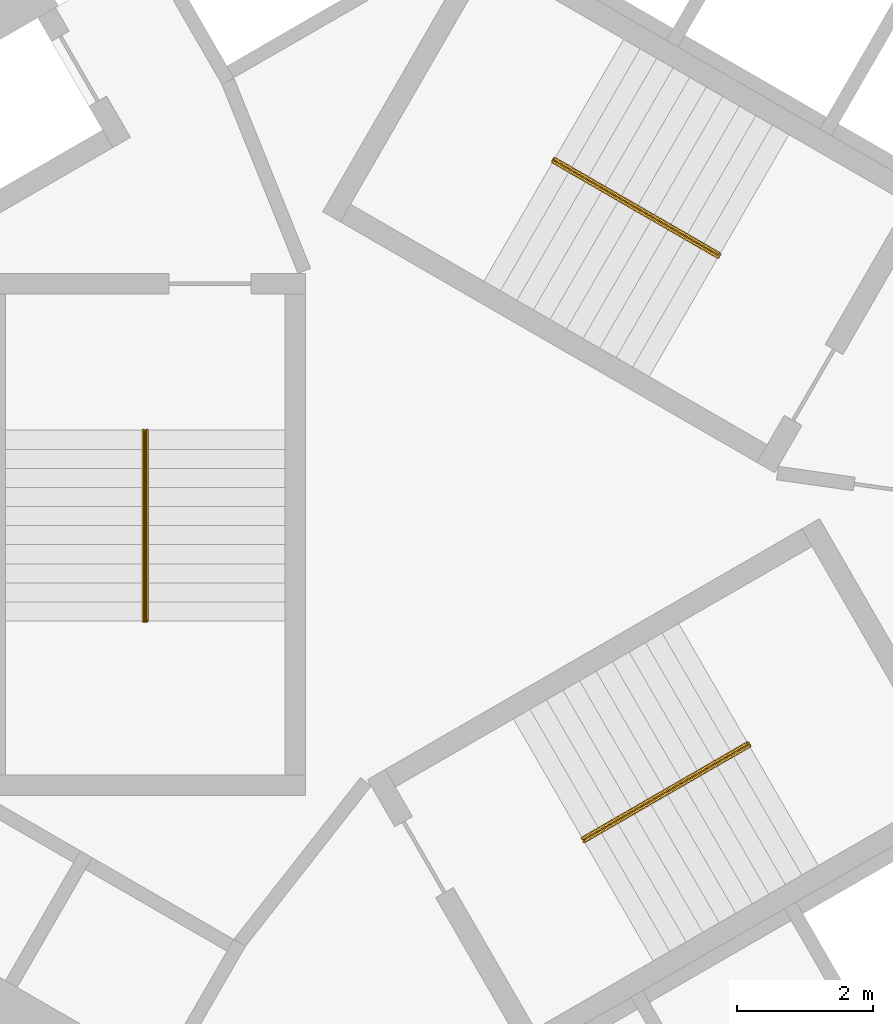
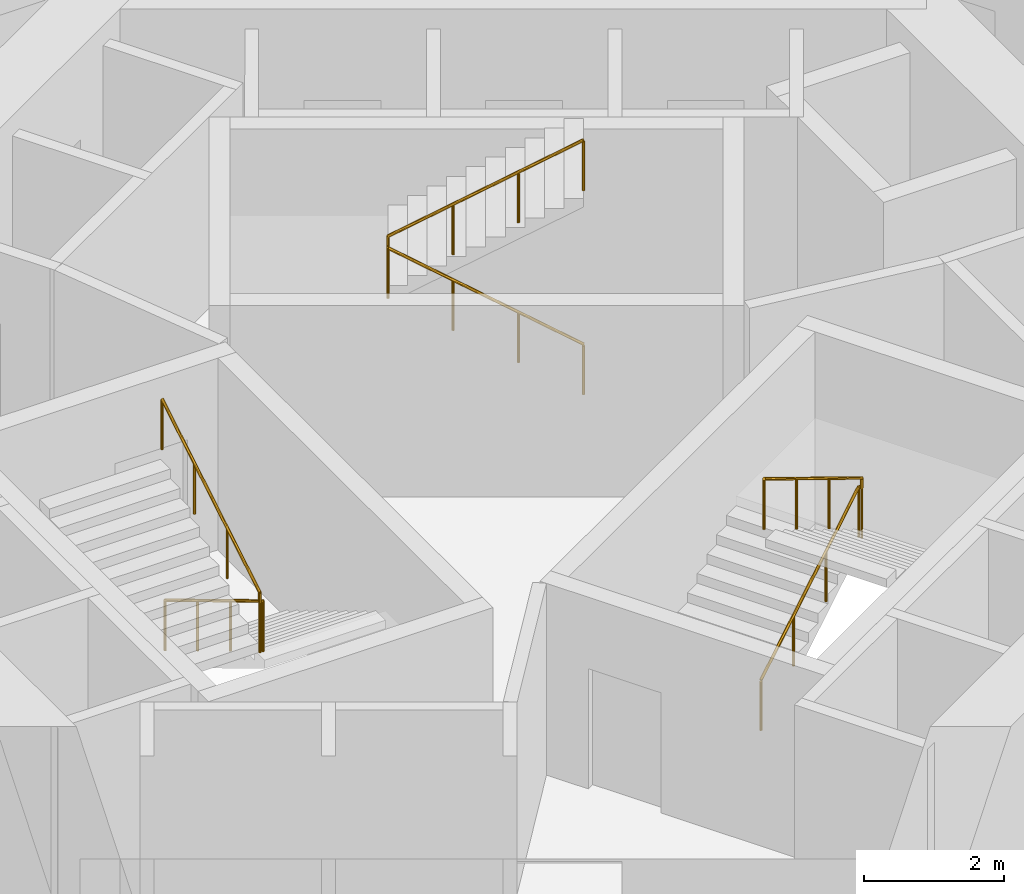
# One storey, part 11 of 11: 3 railings.
"""IFC4 building model written with IfcOpenShell, lengths in metres."""

import ifcopenshell
import ifcopenshell.guid

model = None  # the IFC model being written
_history = None  # IfcOwnerHistory: only IFC2X3 demands one
_inside = {}  # id of a spatial element -> (the spatial element, [elements in it])
_under = {}  # id of a project, library or spatial element -> (it, [spatial elements below it])
_declared = {}  # id of a project -> (the project, [libraries it declares])
_typed = {}  # id of a type object -> (the type object, [elements of that type])
_made_of = {}  # id of a material, layer set ... -> (it, [elements and type objects made of it])


def new_model(schema):
    """Start an empty IFC model of exactly this schema.

    Asked for "IFC4X3", IfcOpenShell would pick the latest addendum, in which some entities
    have other attributes; the version numbers below select the first issue.
    IFC2X3 requires an IfcOwnerHistory on every rooted entity: one is made here for all.
    """
    global model, _history
    if schema == "IFC4X3":
        model = ifcopenshell.file(schema_version=(4, 3, 0, 0))
    else:
        model = ifcopenshell.file(schema=schema)
    _inside.clear()
    _under.clear()
    _declared.clear()
    _typed.clear()
    _made_of.clear()
    _history = None
    if model.schema == "IFC2X3":
        org = make("IfcOrganization", Name="unknown")
        user = make(
            "IfcPersonAndOrganization",
            ThePerson=make("IfcPerson", FamilyName="unknown"),
            TheOrganization=org,
        )
        app = make(
            "IfcApplication",
            ApplicationDeveloper=org,
            Version="unknown",
            ApplicationFullName="unknown",
            ApplicationIdentifier="unknown",
        )
        _history = make(
            "IfcOwnerHistory",
            OwningUser=user,
            OwningApplication=app,
            ChangeAction="ADDED",
            CreationDate=0,
        )
    return model


def make(cls, **values):
    """One entity of the class cls with the attributes given. An attribute that is None is left unset."""
    return model.create_entity(
        cls, **{name: value for name, value in values.items() if value is not None}
    )


def rooted(cls, **values):
    """An entity with a GlobalId (a new one), such as an element, a storey or a relation."""
    return make(cls, GlobalId=ifcopenshell.guid.new(), OwnerHistory=_history, **values)


def si_unit(unit_type, name, prefix=None):
    """IfcSIUnit, for example si_unit("LENGTHUNIT", "METRE", prefix="MILLI")."""
    return make("IfcSIUnit", UnitType=unit_type, Prefix=prefix, Name=name)


def assignment(units):
    """IfcUnitAssignment: the units of a project."""
    return None if units is None else make("IfcUnitAssignment", Units=units)


def point(xyz):
    """IfcCartesianPoint."""
    return None if xyz is None else make("IfcCartesianPoint", Coordinates=xyz)


def direction(xyz):
    """IfcDirection."""
    return None if xyz is None else make("IfcDirection", DirectionRatios=xyz)


def frame(location, z_axis=None, x_axis=None):
    """IfcAxis2Placement3D, a coordinate frame: its origin and axes. An axis left out is left unset."""
    return make(
        "IfcAxis2Placement3D",
        Location=point(location),
        Axis=direction(z_axis),
        RefDirection=direction(x_axis),
    )


def frame_2d(location, x_axis=None):
    """IfcAxis2Placement2D, a coordinate frame in the plane: its origin and x axis."""
    return make(
        "IfcAxis2Placement2D", Location=point(location), RefDirection=direction(x_axis)
    )


def origin():
    """The frame at (0, 0, 0) with its axes left unset."""
    return frame((0.0, 0.0, 0.0))


def origin_2d():
    """The frame at (0, 0) in the plane with its x axis left unset."""
    return frame_2d((0.0, 0.0))


def place(relative_to, where):
    """IfcLocalPlacement: puts the frame where relative to a parent placement (None: the world)."""
    return make(
        "IfcLocalPlacement", PlacementRelTo=relative_to, RelativePlacement=where
    )


def context(
    kind, dimensions, precision=None, world=None, true_north=None, identifier=None
):
    """IfcGeometricRepresentationContext, for example the 3D "Model" context."""
    return make(
        "IfcGeometricRepresentationContext",
        ContextIdentifier=identifier,
        ContextType=kind,
        CoordinateSpaceDimension=dimensions,
        Precision=precision,
        WorldCoordinateSystem=world,
        TrueNorth=true_north,
    )


def subcontext(parent, identifier, kind, view, scale=None):
    """IfcGeometricRepresentationSubContext, for example "Body" below "Model"."""
    return make(
        "IfcGeometricRepresentationSubContext",
        ContextIdentifier=identifier,
        ContextType=kind,
        ParentContext=parent,
        TargetScale=scale,
        TargetView=view,
    )


def project(units=None, contexts=None):
    """IfcProject with its units and contexts."""
    return rooted(
        "IfcProject",
        Name="project",
        RepresentationContexts=contexts,
        UnitsInContext=assignment(units),
    )


def spatial(cls, under=None, at=None, **own):
    """A site, building, storey or space (cls), placed at a placement, below another one or the project."""
    s = rooted(cls, ObjectPlacement=at, **own)
    if under is not None:
        _under.setdefault(under.id(), (under, []))[1].append(s)
    return s


def profile(cls, at=None, kind="AREA", **sizes):
    """A parametric profile (cls). Its sizes go by their IFC names, for example OverallWidth=200.0."""
    return make(cls, ProfileType=kind, Position=at, **sizes)


def circle(**sizes):
    """IfcCircleProfileDef."""
    return profile("IfcCircleProfileDef", **sizes)


def extrude(swept, where, along, depth):
    """IfcExtrudedAreaSolid: the profile swept, set in the frame where, extruded along a direction by depth."""
    return make(
        "IfcExtrudedAreaSolid",
        SweptArea=swept,
        Position=where,
        ExtrudedDirection=direction(along),
        Depth=depth,
    )


def shape(context_of_items, identifier, shape_type, items):
    """IfcShapeRepresentation: the items that make up one representation, for example the "Body"."""
    return make(
        "IfcShapeRepresentation",
        ContextOfItems=context_of_items,
        RepresentationIdentifier=identifier,
        RepresentationType=shape_type,
        Items=items,
    )


def material(Name=None, Category=None):
    """IfcMaterial."""
    return make("IfcMaterial", Name=Name, Category=Category)


def made_of(thing, what):
    """Note that an element or type object is made of a material, layer set ...; save() writes the relation."""
    if what is not None:
        _made_of.setdefault(what.id(), (what, []))[1].append(thing)
    return thing


def type_object(cls, material=None, **own):
    """A type object (cls), such as IfcWallType, which elements share."""
    return made_of(rooted(cls, **own), material)


def element(
    cls,
    number,
    at=None,
    inside=None,
    cuts=None,
    type_object=None,
    material=None,
    context=None,
    identifier="Body",
    shape_type=None,
    held_by="IfcProductDefinitionShape",
    body=None,
    shapes=None,
    **own,
):
    """One element of the class cls, such as IfcWall. Its Tag is "e" and its number.

    at: its placement. inside: the storey or other place that contains it. cuts: it is an
    opening in that element (IfcRelVoidsElement). A single representation is given by context,
    identifier, shape_type and body (its items); several are given by shapes. held_by: the class
    of the entity that holds the representations. save() writes the other relations.
    """
    e = rooted(cls, Tag="e%d" % number, ObjectPlacement=at, **own)
    if body is not None:
        shapes = [shape(context, identifier, shape_type, body)]
    if shapes is not None:
        e.Representation = make(held_by, Representations=shapes)
    if inside is not None:
        _inside.setdefault(inside.id(), (inside, []))[1].append(e)
    if cuts is not None:
        rooted(
            "IfcRelVoidsElement", RelatingBuildingElement=cuts, RelatedOpeningElement=e
        )
    if type_object is not None:
        _typed.setdefault(type_object.id(), (type_object, []))[1].append(e)
    return made_of(e, material)


def aggregate(whole, parts):
    """IfcRelAggregates: a whole, such as a stair, and the parts it consists of."""
    return rooted("IfcRelAggregates", RelatingObject=whole, RelatedObjects=parts)


def save(model, path):
    """Write the relations noted so far, then the file.

    IfcRelAggregates (storeys below a building ...), IfcRelContainedInSpatialStructure (elements
    in a storey), IfcRelDefinesByType, IfcRelAssociatesMaterial and IfcRelDeclares: one each for
    every whole, place, type object, material and project.
    """
    for whole, parts in _under.values():
        aggregate(whole, parts)
    for where, things in _inside.values():
        rooted(
            "IfcRelContainedInSpatialStructure",
            RelatedElements=things,
            RelatingStructure=where,
        )
    for kind, things in _typed.values():
        rooted("IfcRelDefinesByType", RelatedObjects=things, RelatingType=kind)
    for what, things in _made_of.values():
        rooted("IfcRelAssociatesMaterial", RelatedObjects=things, RelatingMaterial=what)
    for by, libraries in _declared.values():
        rooted("IfcRelDeclares", RelatingContext=by, RelatedDefinitions=libraries)
    model.write(path)


model = new_model("IFC4")

# Units and contexts
model_context = context("Model", 3, precision=1e-05, world=origin(), true_north=direction((0.0, 1.0)))
body_context = subcontext(model_context, "Body", "Model", "MODEL_VIEW")
ifc_project = project(units=[si_unit("LENGTHUNIT", "METRE"), si_unit("AREAUNIT", "SQUARE_METRE"), si_unit("VOLUMEUNIT", "CUBIC_METRE"), si_unit("PLANEANGLEUNIT", "RADIAN"), si_unit("MASSUNIT", "GRAM", prefix="KILO")], contexts=[model_context])

# Site, building, storey
site_placement = place(None, origin())
site = spatial("IfcSite", under=ifc_project, at=site_placement, CompositionType="ELEMENT")
building_placement = place(site_placement, origin())
building = spatial("IfcBuilding", under=site, at=building_placement, Name="Vanh Sen Convention Tower", CompositionType="ELEMENT")
storey_placement = place(building_placement, frame((0.0, 0.0, 135.5)))
storey = spatial("IfcBuildingStorey", under=building, at=storey_placement, Name="L33", CompositionType="ELEMENT", Elevation=135.5)

# Railings
ifc_material = material(Name="Stainless steel handrail", Category="steel")
railing_type = type_object("IfcRailingType", Name="Stair handrail 900", PredefinedType="HANDRAIL", material=ifc_material)
railing_1_placement = place(storey_placement, frame((3.45849609375, 3.690185546875, 0.168212890625)))
element("IfcRailing", 1, at=railing_1_placement, inside=storey, type_object=railing_type, Name="Stair handrail ST1 L33", PredefinedType="HANDRAIL", context=body_context, shape_type="SweptSolid", body=[
    extrude(circle(Radius=0.02392578125, at=origin_2d()), frame((0.0, 0.0, 0.8759765625), z_axis=(-0.742390482028, 0.42860119049, 0.514934356695), x_axis=(-0.49998411664, -0.866034573852, 0.0)), (0.0, 0.0, 1.0), 3.26611328125),
    extrude(circle(Radius=0.02392578125, at=origin_2d()), frame((-2.4248046875, 1.39990234375, 2.5576171875), z_axis=(0.497188445666, 0.867642581652, 0.0), x_axis=(-0.867642581652, 0.497188445666, 0.0)), (0.0, 0.0, 1.0), 0.050048828125),
    extrude(circle(Radius=0.02392578125, at=origin_2d()), frame((-2.39990234375, 1.443359375, 2.5576171875), z_axis=(0.0, 0.0, 1.0), x_axis=(1.0, 0.0, 0.0)), (0.0, 0.0, 1.0), 0.168212890625),
    extrude(circle(Radius=0.02392578125, at=origin_2d()), frame((-2.39990234375, 1.443359375, 2.72607421875), z_axis=(0.742395268701, -0.428678701772, 0.514862928999), x_axis=(0.500049511043, 0.865996816683, 0.0)), (0.0, 0.0, 1.0), 3.26611328125),
    extrude(circle(Radius=0.02099609375, at=origin_2d()), origin(), (0.0, 0.0, 1.0), 0.851806640625),
    extrude(circle(Radius=0.02099609375, at=origin_2d()), frame((-0.808349609375, 0.466552734375, 0.560546875)), (0.0, 0.0, 1.0), 0.851806640625),
    extrude(circle(Radius=0.02099609375, at=origin_2d()), frame((-1.616455078125, 0.933349609375, 1.121337890625)), (0.0, 0.0, 1.0), 0.851806640625),
    extrude(circle(Radius=0.02099609375, at=origin_2d()), frame((-2.4248046875, 1.39990234375, 1.681884765625)), (0.0, 0.0, 1.0), 0.851806640625),
    extrude(circle(Radius=0.02099609375, at=origin_2d()), frame((-2.39990234375, 1.443359375, 1.681884765625)), (0.0, 0.0, 1.0), 0.851806640625),
    extrude(circle(Radius=0.02099609375, at=origin_2d()), frame((-2.39990234375, 1.443359375, 1.85009765625)), (0.0, 0.0, 1.0), 0.851806640625),
    extrude(circle(Radius=0.02099609375, at=origin_2d()), frame((-1.591552734375, 0.9765625, 2.41064453125)), (0.0, 0.0, 1.0), 0.851806640625),
    extrude(circle(Radius=0.02099609375, at=origin_2d()), frame((-0.783447265625, 0.510009765625, 2.97119140625)), (0.0, 0.0, 1.0), 0.851806640625),
    extrude(circle(Radius=0.02099609375, at=origin_2d()), frame((0.02490234375, 0.043212890625, 3.53173828125)), (0.0, 0.0, 1.0), 0.851806640625),
])
railing_2_placement = place(storey_placement, frame((-4.925048828125, 1.14990234375, 0.168212890625)))
element("IfcRailing", 2, at=railing_2_placement, inside=storey, type_object=railing_type, Name="Stair handrail ST2 L33", PredefinedType="HANDRAIL", context=body_context, shape_type="SweptSolid", body=[
    extrude(circle(Radius=0.02392578125, at=origin_2d()), frame((0.0, 0.0, 0.8759765625), z_axis=(0.0, -0.857222391501, 0.514946377315), x_axis=(1.0, 0.0, 0.0)), (0.0, 0.0, 1.0), 3.26611328125),
    extrude(circle(Radius=0.02392578125, at=origin_2d()), frame((0.0, -2.7998046875, 2.5576171875), z_axis=(-1.0, 0.0, 0.0), x_axis=(0.0, -1.0, 0.0)), (0.0, 0.0, 1.0), 0.050048828125),
    extrude(circle(Radius=0.02392578125, at=origin_2d()), frame((-0.050048828125, -2.7998046875, 2.5576171875), z_axis=(0.0, 0.0, 1.0), x_axis=(1.0, 0.0, 0.0)), (0.0, 0.0, 1.0), 0.168212890625),
    extrude(circle(Radius=0.02392578125, at=origin_2d()), frame((-0.050048828125, -2.7998046875, 2.72607421875), z_axis=(0.0, 0.857255387014, 0.514891446264), x_axis=(-1.0, 0.0, 0.0)), (0.0, 0.0, 1.0), 3.26611328125),
    extrude(circle(Radius=0.02099609375, at=origin_2d()), origin(), (0.0, 0.0, 1.0), 0.851806640625),
    extrude(circle(Radius=0.02099609375, at=origin_2d()), frame((0.0, -0.933349609375, 0.560546875)), (0.0, 0.0, 1.0), 0.851806640625),
    extrude(circle(Radius=0.02099609375, at=origin_2d()), frame((0.0, -1.866455078125, 1.121337890625)), (0.0, 0.0, 1.0), 0.851806640625),
    extrude(circle(Radius=0.02099609375, at=origin_2d()), frame((0.0, -2.7998046875, 1.681884765625)), (0.0, 0.0, 1.0), 0.851806640625),
    extrude(circle(Radius=0.02099609375, at=origin_2d()), frame((-0.050048828125, -2.7998046875, 1.681884765625)), (0.0, 0.0, 1.0), 0.851806640625),
    extrude(circle(Radius=0.02099609375, at=origin_2d()), frame((-0.050048828125, -2.7998046875, 1.85009765625)), (0.0, 0.0, 1.0), 0.851806640625),
    extrude(circle(Radius=0.02099609375, at=origin_2d()), frame((-0.050048828125, -1.866455078125, 2.41064453125)), (0.0, 0.0, 1.0), 0.851806640625),
    extrude(circle(Radius=0.02099609375, at=origin_2d()), frame((-0.050048828125, -0.933349609375, 2.97119140625)), (0.0, 0.0, 1.0), 0.851806640625),
    extrude(circle(Radius=0.02099609375, at=origin_2d()), frame((-0.050048828125, 0.0, 3.53173828125)), (0.0, 0.0, 1.0), 0.851806640625),
])
railing_3_placement = place(storey_placement, frame((1.466552734375, -4.840087890625, 0.168212890625)))
element("IfcRailing", 3, at=railing_3_placement, inside=storey, type_object=railing_type, Name="Stair handrail ST3 L33", PredefinedType="HANDRAIL", context=body_context, shape_type="SweptSolid", body=[
    extrude(circle(Radius=0.02392578125, at=origin_2d()), frame((0.0, 0.0, 0.8759765625), z_axis=(0.742390482028, 0.42860119049, 0.514934356695), x_axis=(-0.49998411664, 0.866034573852, 0.0)), (0.0, 0.0, 1.0), 3.26611328125),
    extrude(circle(Radius=0.02392578125, at=origin_2d()), frame((2.4248046875, 1.39990234375, 2.5576171875), z_axis=(0.502959906984, -0.86430974307, 0.0), x_axis=(0.86430974307, 0.502959906984, 0.0)), (0.0, 0.0, 1.0), 0.050048828125),
    extrude(circle(Radius=0.02392578125, at=origin_2d()), frame((2.449951171875, 1.356689453125, 2.5576171875), z_axis=(0.0, 0.0, 1.0), x_axis=(1.0, 0.0, 0.0)), (0.0, 0.0, 1.0), 0.168212890625),
    extrude(circle(Radius=0.02392578125, at=origin_2d()), frame((2.449951171875, 1.356689453125, 2.72607421875), z_axis=(-0.742395268701, -0.428678701772, 0.514862928999), x_axis=(0.500049511043, -0.865996816683, 0.0)), (0.0, 0.0, 1.0), 3.26611328125),
    extrude(circle(Radius=0.02099609375, at=origin_2d()), origin(), (0.0, 0.0, 1.0), 0.851806640625),
    extrude(circle(Radius=0.02099609375, at=origin_2d()), frame((0.808349609375, 0.466552734375, 0.560546875)), (0.0, 0.0, 1.0), 0.851806640625),
    extrude(circle(Radius=0.02099609375, at=origin_2d()), frame((1.616455078125, 0.933349609375, 1.121337890625)), (0.0, 0.0, 1.0), 0.851806640625),
    extrude(circle(Radius=0.02099609375, at=origin_2d()), frame((2.4248046875, 1.39990234375, 1.681884765625)), (0.0, 0.0, 1.0), 0.851806640625),
    extrude(circle(Radius=0.02099609375, at=origin_2d()), frame((2.449951171875, 1.356689453125, 1.681884765625)), (0.0, 0.0, 1.0), 0.851806640625),
    extrude(circle(Radius=0.02099609375, at=origin_2d()), frame((2.449951171875, 1.356689453125, 1.85009765625)), (0.0, 0.0, 1.0), 0.851806640625),
    extrude(circle(Radius=0.02099609375, at=origin_2d()), frame((1.6416015625, 0.889892578125, 2.41064453125)), (0.0, 0.0, 1.0), 0.851806640625),
    extrude(circle(Radius=0.02099609375, at=origin_2d()), frame((0.83349609375, 0.42333984375, 2.97119140625)), (0.0, 0.0, 1.0), 0.851806640625),
    extrude(circle(Radius=0.02099609375, at=origin_2d()), frame((0.025146484375, -0.04345703125, 3.53173828125)), (0.0, 0.0, 1.0), 0.851806640625),
])

save(model, "model.ifc")
